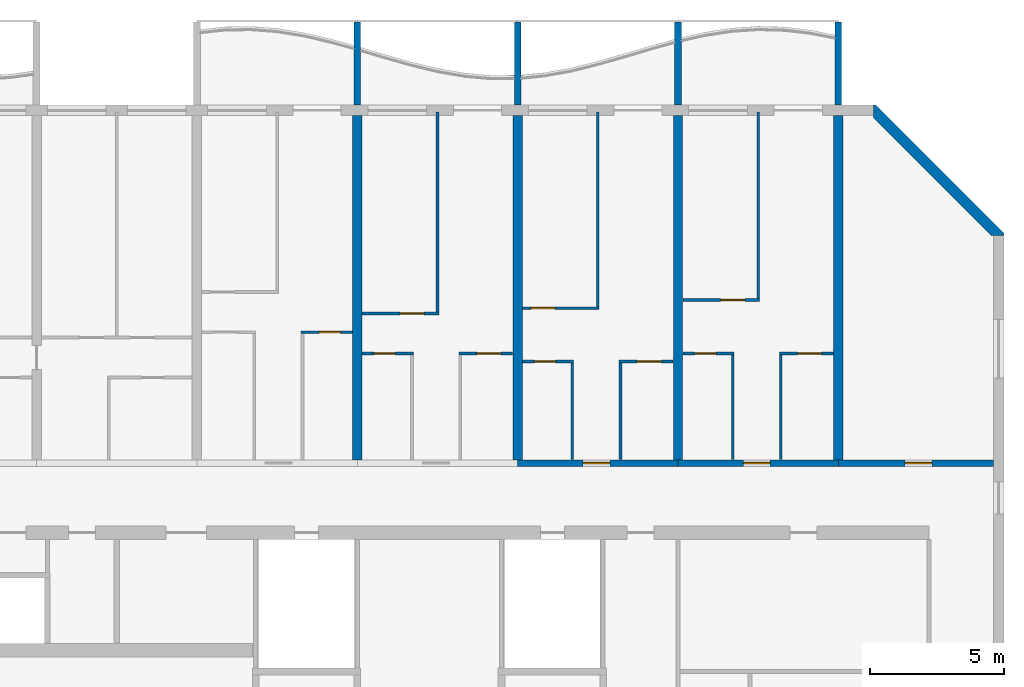
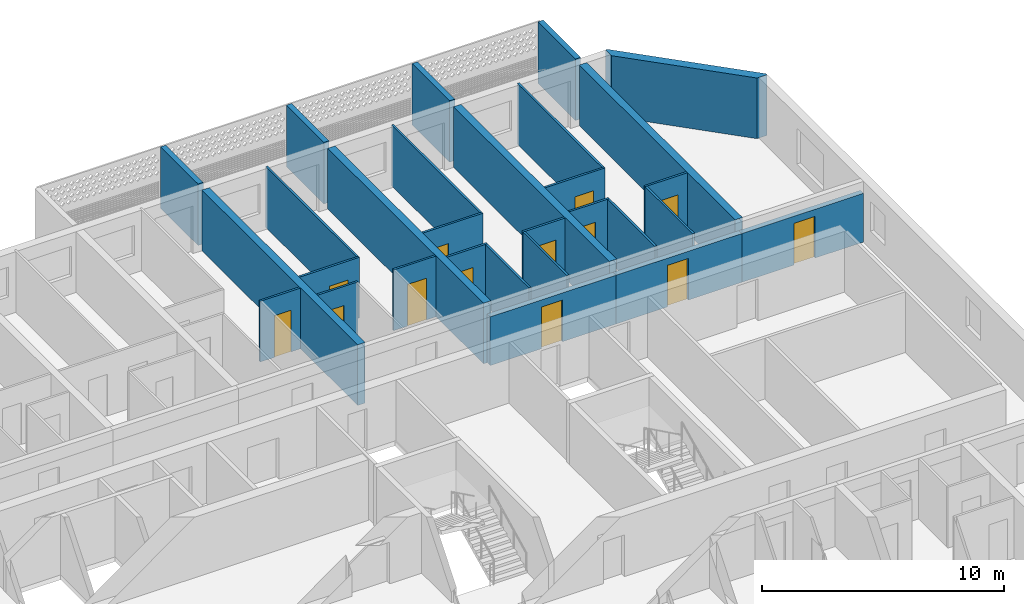
# One storey, part 15 of 30: 29 walls, 13 doors, 13 openings.
"""IFC4 building model written with IfcOpenShell, lengths in metres."""

from ifc_helpers import new_model, si_unit, direction, frame, frame_2d, origin, place, context, subcontext, project, spatial, polyline, rectangle, outline, extrude, source, transform, mapped, material, layer, layer_set, type_object, element, fill, save


model = new_model("IFC4")

# Units and contexts
model_context = context("Model", 3, precision=1e-05, world=origin(), true_north=direction((0.0, 1.0)))
body_context = subcontext(model_context, "Body", "Model", "MODEL_VIEW")
ifc_project = project(units=[si_unit("LENGTHUNIT", "METRE"), si_unit("AREAUNIT", "SQUARE_METRE"), si_unit("VOLUMEUNIT", "CUBIC_METRE"), si_unit("PLANEANGLEUNIT", "RADIAN"), si_unit("MASSUNIT", "GRAM", prefix="KILO")], contexts=[model_context])

# Site, building, storey
site_placement = place(None, origin())
site = spatial("IfcSite", under=ifc_project, at=site_placement, CompositionType="ELEMENT")
building_placement = place(site_placement, origin())
building = spatial("IfcBuilding", under=site, at=building_placement, Name="Poui Terraces", CompositionType="ELEMENT")
storey_placement = place(building_placement, frame((0.0, 0.0, 99.300048828125)))
storey = spatial("IfcBuildingStorey", under=building, at=storey_placement, Name="L27", CompositionType="ELEMENT", Elevation=99.300048828125)

# Wall, opening, door
ifc_material_1 = material(Name="Concrete 65 MPa", Category="concrete")
ifc_layer_1 = layer(ifc_material_1, 0.25)
ifc_layer_set_1 = layer_set([ifc_layer_1], Name="Concrete 65 MPa")
wall_type_1 = type_object("IfcWallType", Name="CORRIDOR WALL 250 65MPa", PredefinedType="SHEAR", material=ifc_layer_set_1)
wall_1_placement = place(storey_placement, frame((78.0, 30.39990234375, 0.0), z_axis=(0.0, 0.0, 1.0), x_axis=(1.0, 0.0, 0.0)))
wall_1 = element("IfcWall", 1, at=wall_1_placement, inside=storey, type_object=wall_type_1, Name="CORRIDOR WALL LINE E BAY 13", PredefinedType="SHEAR", context=body_context, shape_type="SweptSolid", body=[
    extrude(rectangle(XDim=6.0, YDim=0.25, at=frame_2d((3.0, 0.0))), origin(), (0.0, 0.0, 1.0), 2.4599609375),
])
opening_1_placement = place(wall_1_placement, frame((2.449951171875, 0.0, 0.0)))
opening_1 = element("IfcOpeningElement", 2, at=opening_1_placement, cuts=wall_1, Name="Opening FD30S", PredefinedType="OPENING", context=body_context, shape_type="SweptSolid", body=[
    extrude(rectangle(XDim=1.0, YDim=2.10009765625, at=frame_2d((0.5, 1.050048828125))), frame((0.0, 0.135009765625, 0.0), z_axis=(0.0, -1.0, 0.0), x_axis=(1.0, 0.0, 0.0)), (0.0, 0.0, 1.0), 0.27001953125),
])
ifc_material_2 = material(Name="Steel fire door", Category="steel")
door_type_1 = type_object("IfcDoorType", Name="FLAT ENTRANCE DOOR 1000 X 2100", OperationType="NOTDEFINED", PredefinedType="DOOR", material=ifc_material_2)
door_1_placement = place(opening_1_placement, origin())
door_1 = element("IfcDoor", 3, at=door_1_placement, inside=storey, type_object=door_type_1, Name="FLAT ENTRANCE DOOR 076", OperationType="SINGLE_SWING_LEFT", OverallHeight=2.10009765625, OverallWidth=1.0, PredefinedType="DOOR", context=body_context, shape_type="SweptSolid", body=[
    extrude(rectangle(XDim=1.0, YDim=2.10009765625, at=frame_2d((0.5, 1.050048828125))), frame((0.0, 0.02490234375, 0.0), z_axis=(0.0, -1.0, 0.0), x_axis=(1.0, 0.0, 0.0)), (0.0, 0.0, 1.0), 0.050048828125),
])
fill(opening_1, door_1)

wall_2_placement = place(storey_placement, frame((84.0, 30.39990234375, 0.0), z_axis=(0.0, 0.0, 1.0), x_axis=(1.0, 0.0, 0.0)))
wall_2 = element("IfcWall", 4, at=wall_2_placement, inside=storey, type_object=wall_type_1, Name="CORRIDOR WALL LINE E BAY 14", PredefinedType="SHEAR", context=body_context, shape_type="SweptSolid", body=[
    extrude(rectangle(XDim=6.0, YDim=0.25, at=frame_2d((3.0, 0.0))), origin(), (0.0, 0.0, 1.0), 2.4599609375),
])
opening_2_placement = place(wall_2_placement, frame((2.449951171875, 0.0, 0.0)))
opening_2 = element("IfcOpeningElement", 5, at=opening_2_placement, cuts=wall_2, Name="Opening FD30S", PredefinedType="OPENING", context=body_context, shape_type="SweptSolid", body=[
    extrude(rectangle(XDim=1.0, YDim=2.10009765625, at=frame_2d((0.5, 1.050048828125))), frame((0.0, 0.135009765625, 0.0), z_axis=(0.0, -1.0, 0.0), x_axis=(1.0, 0.0, 0.0)), (0.0, 0.0, 1.0), 0.27001953125),
])
door_2_placement = place(opening_2_placement, origin())
door_2 = element("IfcDoor", 6, at=door_2_placement, inside=storey, type_object=door_type_1, Name="FLAT ENTRANCE DOOR 080", OperationType="SINGLE_SWING_LEFT", OverallHeight=2.10009765625, OverallWidth=1.0, PredefinedType="DOOR", context=body_context, shape_type="SweptSolid", body=[
    extrude(rectangle(XDim=1.0, YDim=2.10009765625, at=frame_2d((0.5, 1.050048828125))), frame((0.0, 0.02490234375, 0.0), z_axis=(0.0, -1.0, 0.0), x_axis=(1.0, 0.0, 0.0)), (0.0, 0.0, 1.0), 0.050048828125),
])
fill(opening_2, door_2)

wall_3_placement = place(storey_placement, frame((90.0, 30.39990234375, 0.0), z_axis=(0.0, 0.0, 1.0), x_axis=(1.0, 0.0, 0.0)))
wall_3 = element("IfcWall", 7, at=wall_3_placement, inside=storey, type_object=wall_type_1, Name="CORRIDOR WALL LINE E BAY 15", PredefinedType="SHEAR", context=body_context, shape_type="SweptSolid", body=[
    extrude(rectangle(XDim=5.800048828125, YDim=0.25, at=frame_2d((2.89990234375, 0.0))), origin(), (0.0, 0.0, 1.0), 2.4599609375),
])
opening_3_placement = place(wall_3_placement, frame((2.5, 0.0, 0.0)))
opening_3 = element("IfcOpeningElement", 8, at=opening_3_placement, cuts=wall_3, Name="Opening D100", PredefinedType="OPENING", context=body_context, shape_type="SweptSolid", body=[
    extrude(rectangle(XDim=1.0, YDim=2.10009765625, at=frame_2d((0.5, 1.050048828125))), frame((0.0, 0.135009765625, 0.0), z_axis=(0.0, -1.0, 0.0), x_axis=(1.0, 0.0, 0.0)), (0.0, 0.0, 1.0), 0.27001953125),
])
ifc_material_3 = material(Name="Solid core timber door", Category="wood")
door_type_2 = type_object("IfcDoorType", Name="ACCESSIBLE INTERNAL DOOR 1000 X 2100", OperationType="NOTDEFINED", PredefinedType="DOOR", material=ifc_material_3)
door_3_placement = place(opening_3_placement, origin())
door_3 = element("IfcDoor", 9, at=door_3_placement, inside=storey, type_object=door_type_2, Name="ACCESSIBLE INTERNAL DOOR 082", OperationType="SINGLE_SWING_LEFT", OverallHeight=2.10009765625, OverallWidth=1.0, PredefinedType="DOOR", context=body_context, shape_type="SweptSolid", body=[
    extrude(rectangle(XDim=1.0, YDim=2.10009765625, at=frame_2d((0.5, 1.050048828125))), frame((0.0, 0.02490234375, 0.0), z_axis=(0.0, -1.0, 0.0), x_axis=(1.0, 0.0, 0.0)), (0.0, 0.0, 1.0), 0.050048828125),
])
fill(opening_3, door_3)

# Walls
ifc_layer_2 = layer(ifc_material_1, 0.35009765625)
ifc_layer_set_2 = layer_set([ifc_layer_2], Name="Concrete 65 MPa")
wall_type_2 = type_object("IfcWallType", Name="CROSS WALL 350 65MPa", PredefinedType="SHEAR", material=ifc_layer_set_2)
for number, where, z_axis, x_axis, name in (
    (10, (72.0, 30.52490234375, 0.0), (0.0, 0.0, 1.0), (0.0, 1.0, 0.0), "CROSS WALL LINE 13 NORTH"),
    (11, (78.0, 30.52490234375, 0.0), (0.0, 0.0, 1.0), (0.0, 1.0, 0.0), "CROSS WALL LINE 14 NORTH"),
    (12, (84.0, 30.52490234375, 0.0), (0.0, 0.0, 1.0), (0.0, 1.0, 0.0), "CROSS WALL LINE 15 NORTH"),
    (13, (90.0, 30.52490234375, 0.0), (0.0, 0.0, 1.0), (0.0, 1.0, 0.0), "CROSS WALL LINE 16 NORTH"),
):
    element("IfcWall", number, at=place(storey_placement, frame(where, z_axis=z_axis, x_axis=x_axis)), inside=storey, type_object=wall_type_2, Name=name, PredefinedType="SHEAR", context=body_context, shape_type="SweptSolid", body=[
        extrude(rectangle(XDim=12.875, YDim=0.35009765625, at=frame_2d((6.4375, 0.0))), origin(), (0.0, 0.0, 1.0), 3.06005859375),
    ])

# Wall, opening, door
ifc_material_4 = material(Name="Plasterboard partition")
ifc_layer_3 = layer(ifc_material_4, 0.10009765625)
ifc_layer_set_3 = layer_set([ifc_layer_3], Name="Plasterboard partition")
wall_type_3 = type_object("IfcWallType", Name="FLAT PARTITION 100", PredefinedType="PARTITIONING", material=ifc_layer_set_3)
wall_4_placement = place(storey_placement, frame((78.18505859375, 34.199951171875, 0.0), z_axis=(0.0, 0.0, 1.0), x_axis=(1.0, 0.0, 0.0)))
wall_4 = element("IfcWall", 14, at=wall_4_placement, inside=storey, type_object=wall_type_3, Name="FLAT PARTITION 100", PredefinedType="PARTITIONING", context=body_context, shape_type="SweptSolid", body=[
    extrude(rectangle(XDim=1.9150390625, YDim=0.10009765625, at=frame_2d((0.95751953125, 0.0))), origin(), (0.0, 0.0, 1.0), 3.06005859375),
])
opening_4_placement = place(wall_4_placement, frame((0.43994140625, 0.0, 0.0)))
opening_4 = element("IfcOpeningElement", 15, at=opening_4_placement, cuts=wall_4, Name="Opening D80", PredefinedType="OPENING", context=body_context, shape_type="SweptSolid", body=[
    extrude(rectangle(XDim=0.800048828125, YDim=2.10009765625, at=frame_2d((0.39990234375, 1.050048828125))), frame((0.0, 0.06005859375, 0.0), z_axis=(0.0, -1.0, 0.0), x_axis=(1.0, 0.0, 0.0)), (0.0, 0.0, 1.0), 0.1201171875),
])
door_type_3 = type_object("IfcDoorType", Name="BATHROOM, LAUNDRY AND STORE DOOR 800 X 2100", OperationType="NOTDEFINED", PredefinedType="DOOR", material=ifc_material_3)
door_4_placement = place(opening_4_placement, frame((0.800048828125, 0.0, 0.0), z_axis=(0.0, 0.0, 1.0), x_axis=(-1.0, 0.0, 0.0)))
door_4 = element("IfcDoor", 16, at=door_4_placement, inside=storey, type_object=door_type_3, Name="BATHROOM, LAUNDRY AND STORE DOOR 075", OperationType="SINGLE_SWING_RIGHT", OverallHeight=2.10009765625, OverallWidth=0.800048828125, PredefinedType="DOOR", context=body_context, shape_type="SweptSolid", body=[
    extrude(rectangle(XDim=0.800048828125, YDim=2.10009765625, at=frame_2d((0.39990234375, 1.050048828125))), frame((0.0, 0.02490234375, 0.0), z_axis=(0.0, -1.0, 0.0), x_axis=(1.0, 0.0, 0.0)), (0.0, 0.0, 1.0), 0.050048828125),
])
fill(opening_4, door_4)

wall_5_placement = place(storey_placement, frame((81.800048828125, 34.199951171875, 0.0), z_axis=(0.0, 0.0, 1.0), x_axis=(1.0, 0.0, 0.0)))
wall_5 = element("IfcWall", 17, at=wall_5_placement, inside=storey, type_object=wall_type_3, Name="FLAT PARTITION 100", PredefinedType="PARTITIONING", context=body_context, shape_type="SweptSolid", body=[
    extrude(rectangle(XDim=2.014892578125, YDim=0.10009765625, at=frame_2d((1.00732421875, 0.0))), origin(), (0.0, 0.0, 1.0), 3.06005859375),
])
opening_5_placement = place(wall_5_placement, frame((0.675048828125, 0.0, 0.0)))
opening_5 = element("IfcOpeningElement", 18, at=opening_5_placement, cuts=wall_5, Name="Opening D90", PredefinedType="OPENING", context=body_context, shape_type="SweptSolid", body=[
    extrude(rectangle(XDim=0.89990234375, YDim=2.10009765625, at=frame_2d((0.449951171875, 1.050048828125))), frame((0.0, 0.06005859375, 0.0), z_axis=(0.0, -1.0, 0.0), x_axis=(1.0, 0.0, 0.0)), (0.0, 0.0, 1.0), 0.1201171875),
])
door_type_4 = type_object("IfcDoorType", Name="INTERNAL DOOR 900 X 2100", OperationType="NOTDEFINED", PredefinedType="DOOR", material=ifc_material_3)
door_5_placement = place(opening_5_placement, frame((0.89990234375, 0.0, 0.0), z_axis=(0.0, 0.0, 1.0), x_axis=(-1.0, 0.0, 0.0)))
door_5 = element("IfcDoor", 19, at=door_5_placement, inside=storey, type_object=door_type_4, Name="INTERNAL DOOR 077", OperationType="SINGLE_SWING_LEFT", OverallHeight=2.10009765625, OverallWidth=0.89990234375, PredefinedType="DOOR", context=body_context, shape_type="SweptSolid", body=[
    extrude(rectangle(XDim=0.89990234375, YDim=2.10009765625, at=frame_2d((0.449951171875, 1.050048828125))), frame((0.0, 0.02490234375, 0.0), z_axis=(0.0, -1.0, 0.0), x_axis=(1.0, 0.0, 0.0)), (0.0, 0.0, 1.0), 0.050048828125),
])
fill(opening_5, door_5)

wall_6_placement = place(storey_placement, frame((72.18505859375, 34.5, 0.0), z_axis=(0.0, 0.0, 1.0), x_axis=(1.0, 0.0, 0.0)))
wall_6 = element("IfcWall", 20, at=wall_6_placement, inside=storey, type_object=wall_type_3, Name="FLAT PARTITION 100", PredefinedType="PARTITIONING", context=body_context, shape_type="SweptSolid", body=[
    extrude(rectangle(XDim=1.9150390625, YDim=0.10009765625, at=frame_2d((0.95751953125, 0.0))), origin(), (0.0, 0.0, 1.0), 3.06005859375),
])
opening_6_placement = place(wall_6_placement, frame((0.43994140625, 0.0, 0.0)))
opening_6 = element("IfcOpeningElement", 21, at=opening_6_placement, cuts=wall_6, Name="Opening D80", PredefinedType="OPENING", context=body_context, shape_type="SweptSolid", body=[
    extrude(rectangle(XDim=0.800048828125, YDim=2.10009765625, at=frame_2d((0.39990234375, 1.050048828125))), frame((0.0, 0.06005859375, 0.0), z_axis=(0.0, -1.0, 0.0), x_axis=(1.0, 0.0, 0.0)), (0.0, 0.0, 1.0), 0.1201171875),
])
door_6_placement = place(opening_6_placement, frame((0.800048828125, 0.0, 0.0), z_axis=(0.0, 0.0, 1.0), x_axis=(-1.0, 0.0, 0.0)))
door_6 = element("IfcDoor", 22, at=door_6_placement, inside=storey, type_object=door_type_3, Name="BATHROOM, LAUNDRY AND STORE DOOR 070", OperationType="SINGLE_SWING_LEFT", OverallHeight=2.10009765625, OverallWidth=0.800048828125, PredefinedType="DOOR", context=body_context, shape_type="SweptSolid", body=[
    extrude(rectangle(XDim=0.800048828125, YDim=2.10009765625, at=frame_2d((0.39990234375, 1.050048828125))), frame((0.0, 0.02490234375, 0.0), z_axis=(0.0, -1.0, 0.0), x_axis=(1.0, 0.0, 0.0)), (0.0, 0.0, 1.0), 0.050048828125),
])
fill(opening_6, door_6)

wall_7_placement = place(storey_placement, frame((75.800048828125, 34.5, 0.0), z_axis=(0.0, 0.0, 1.0), x_axis=(1.0, 0.0, 0.0)))
wall_7 = element("IfcWall", 23, at=wall_7_placement, inside=storey, type_object=wall_type_3, Name="FLAT PARTITION 100", PredefinedType="PARTITIONING", context=body_context, shape_type="SweptSolid", body=[
    extrude(rectangle(XDim=2.014892578125, YDim=0.10009765625, at=frame_2d((1.00732421875, 0.0))), origin(), (0.0, 0.0, 1.0), 3.06005859375),
])
opening_7_placement = place(wall_7_placement, frame((0.675048828125, 0.0, 0.0)))
opening_7 = element("IfcOpeningElement", 24, at=opening_7_placement, cuts=wall_7, Name="Opening D90", PredefinedType="OPENING", context=body_context, shape_type="SweptSolid", body=[
    extrude(rectangle(XDim=0.89990234375, YDim=2.10009765625, at=frame_2d((0.449951171875, 1.050048828125))), frame((0.0, 0.06005859375, 0.0), z_axis=(0.0, -1.0, 0.0), x_axis=(1.0, 0.0, 0.0)), (0.0, 0.0, 1.0), 0.1201171875),
])
door_7_placement = place(opening_7_placement, frame((0.89990234375, 0.0, 0.0), z_axis=(0.0, 0.0, 1.0), x_axis=(-1.0, 0.0, 0.0)))
door_7 = element("IfcDoor", 25, at=door_7_placement, inside=storey, type_object=door_type_4, Name="INTERNAL DOOR 073", OperationType="SINGLE_SWING_RIGHT", OverallHeight=2.10009765625, OverallWidth=0.89990234375, PredefinedType="DOOR", context=body_context, shape_type="SweptSolid", body=[
    extrude(rectangle(XDim=0.89990234375, YDim=2.10009765625, at=frame_2d((0.449951171875, 1.050048828125))), frame((0.0, 0.02490234375, 0.0), z_axis=(0.0, -1.0, 0.0), x_axis=(1.0, 0.0, 0.0)), (0.0, 0.0, 1.0), 0.050048828125),
])
fill(opening_7, door_7)

wall_8_placement = place(storey_placement, frame((84.18505859375, 34.5, 0.0), z_axis=(0.0, 0.0, 1.0), x_axis=(1.0, 0.0, 0.0)))
wall_8 = element("IfcWall", 26, at=wall_8_placement, inside=storey, type_object=wall_type_3, Name="FLAT PARTITION 100", PredefinedType="PARTITIONING", context=body_context, shape_type="SweptSolid", body=[
    extrude(rectangle(XDim=1.9150390625, YDim=0.10009765625, at=frame_2d((0.95751953125, 0.0))), origin(), (0.0, 0.0, 1.0), 3.06005859375),
])
opening_8_placement = place(wall_8_placement, frame((0.43994140625, 0.0, 0.0)))
opening_8 = element("IfcOpeningElement", 27, at=opening_8_placement, cuts=wall_8, Name="Opening D80", PredefinedType="OPENING", context=body_context, shape_type="SweptSolid", body=[
    extrude(rectangle(XDim=0.800048828125, YDim=2.10009765625, at=frame_2d((0.39990234375, 1.050048828125))), frame((0.0, 0.06005859375, 0.0), z_axis=(0.0, -1.0, 0.0), x_axis=(1.0, 0.0, 0.0)), (0.0, 0.0, 1.0), 0.1201171875),
])
door_8_placement = place(opening_8_placement, frame((0.800048828125, 0.0, 0.0), z_axis=(0.0, 0.0, 1.0), x_axis=(-1.0, 0.0, 0.0)))
door_8 = element("IfcDoor", 28, at=door_8_placement, inside=storey, type_object=door_type_3, Name="BATHROOM, LAUNDRY AND STORE DOOR 078", OperationType="SINGLE_SWING_LEFT", OverallHeight=2.10009765625, OverallWidth=0.800048828125, PredefinedType="DOOR", context=body_context, shape_type="SweptSolid", body=[
    extrude(rectangle(XDim=0.800048828125, YDim=2.10009765625, at=frame_2d((0.39990234375, 1.050048828125))), frame((0.0, 0.02490234375, 0.0), z_axis=(0.0, -1.0, 0.0), x_axis=(1.0, 0.0, 0.0)), (0.0, 0.0, 1.0), 0.050048828125),
])
fill(opening_8, door_8)

wall_9_placement = place(storey_placement, frame((87.800048828125, 34.5, 0.0), z_axis=(0.0, 0.0, 1.0), x_axis=(1.0, 0.0, 0.0)))
wall_9 = element("IfcWall", 29, at=wall_9_placement, inside=storey, type_object=wall_type_3, Name="FLAT PARTITION 100", PredefinedType="PARTITIONING", context=body_context, shape_type="SweptSolid", body=[
    extrude(rectangle(XDim=2.014892578125, YDim=0.10009765625, at=frame_2d((1.00732421875, 0.0))), origin(), (0.0, 0.0, 1.0), 3.06005859375),
])
opening_9_placement = place(wall_9_placement, frame((0.675048828125, 0.0, 0.0)))
opening_9 = element("IfcOpeningElement", 30, at=opening_9_placement, cuts=wall_9, Name="Opening D90", PredefinedType="OPENING", context=body_context, shape_type="SweptSolid", body=[
    extrude(rectangle(XDim=0.89990234375, YDim=2.10009765625, at=frame_2d((0.449951171875, 1.050048828125))), frame((0.0, 0.06005859375, 0.0), z_axis=(0.0, -1.0, 0.0), x_axis=(1.0, 0.0, 0.0)), (0.0, 0.0, 1.0), 0.1201171875),
])
door_9_placement = place(opening_9_placement, frame((0.89990234375, 0.0, 0.0), z_axis=(0.0, 0.0, 1.0), x_axis=(-1.0, 0.0, 0.0)))
door_9 = element("IfcDoor", 31, at=door_9_placement, inside=storey, type_object=door_type_4, Name="INTERNAL DOOR 081", OperationType="SINGLE_SWING_RIGHT", OverallHeight=2.10009765625, OverallWidth=0.89990234375, PredefinedType="DOOR", context=body_context, shape_type="SweptSolid", body=[
    extrude(rectangle(XDim=0.89990234375, YDim=2.10009765625, at=frame_2d((0.449951171875, 1.050048828125))), frame((0.0, 0.02490234375, 0.0), z_axis=(0.0, -1.0, 0.0), x_axis=(1.0, 0.0, 0.0)), (0.0, 0.0, 1.0), 0.050048828125),
])
fill(opening_9, door_9)

wall_10_placement = place(storey_placement, frame((69.89990234375, 35.300048828125, 0.0), z_axis=(0.0, 0.0, 1.0), x_axis=(1.0, 0.0, 0.0)))
wall_10 = element("IfcWall", 32, at=wall_10_placement, inside=storey, type_object=wall_type_3, Name="FLAT PARTITION 100", PredefinedType="PARTITIONING", context=body_context, shape_type="SweptSolid", body=[
    extrude(rectangle(XDim=1.9150390625, YDim=0.10009765625, at=frame_2d((0.95751953125, 0.0))), origin(), (0.0, 0.0, 1.0), 3.06005859375),
])
opening_10_placement = place(wall_10_placement, frame((0.675048828125, 0.0, 0.0)))
opening_10 = element("IfcOpeningElement", 33, at=opening_10_placement, cuts=wall_10, Name="Opening D80", PredefinedType="OPENING", context=body_context, shape_type="SweptSolid", body=[
    extrude(rectangle(XDim=0.800048828125, YDim=2.10009765625, at=frame_2d((0.39990234375, 1.050048828125))), frame((0.0, 0.06005859375, 0.0), z_axis=(0.0, -1.0, 0.0), x_axis=(1.0, 0.0, 0.0)), (0.0, 0.0, 1.0), 0.1201171875),
])
door_10_placement = place(opening_10_placement, frame((0.800048828125, 0.0, 0.0), z_axis=(0.0, 0.0, 1.0), x_axis=(-1.0, 0.0, 0.0)))
door_10 = element("IfcDoor", 34, at=door_10_placement, inside=storey, type_object=door_type_3, Name="BATHROOM, LAUNDRY AND STORE DOOR 069", OperationType="SINGLE_SWING_LEFT", OverallHeight=2.10009765625, OverallWidth=0.800048828125, PredefinedType="DOOR", context=body_context, shape_type="SweptSolid", body=[
    extrude(rectangle(XDim=0.800048828125, YDim=2.10009765625, at=frame_2d((0.39990234375, 1.050048828125))), frame((0.0, 0.02490234375, 0.0), z_axis=(0.0, -1.0, 0.0), x_axis=(1.0, 0.0, 0.0)), (0.0, 0.0, 1.0), 0.050048828125),
])
fill(opening_10, door_10)

wall_11_placement = place(storey_placement, frame((72.18505859375, 36.0, 0.0), z_axis=(0.0, 0.0, 1.0), x_axis=(1.0, 0.0, 0.0)))
wall_11 = element("IfcWall", 35, at=wall_11_placement, inside=storey, type_object=wall_type_3, Name="FLAT PARTITION 100", PredefinedType="PARTITIONING", context=body_context, shape_type="SweptSolid", body=[
    extrude(rectangle(XDim=2.864990234375, YDim=0.10009765625, at=frame_2d((1.4326171875, 0.0))), origin(), (0.0, 0.0, 1.0), 3.06005859375),
])
opening_11_placement = place(wall_11_placement, frame((1.4150390625, 0.0, 0.0)))
opening_11 = element("IfcOpeningElement", 36, at=opening_11_placement, cuts=wall_11, Name="Opening D90", PredefinedType="OPENING", context=body_context, shape_type="SweptSolid", body=[
    extrude(rectangle(XDim=0.89990234375, YDim=2.10009765625, at=frame_2d((0.449951171875, 1.050048828125))), frame((0.0, 0.06005859375, 0.0), z_axis=(0.0, -1.0, 0.0), x_axis=(1.0, 0.0, 0.0)), (0.0, 0.0, 1.0), 0.1201171875),
])
door_11_placement = place(opening_11_placement, frame((0.89990234375, 0.0, 0.0), z_axis=(0.0, 0.0, 1.0), x_axis=(-1.0, 0.0, 0.0)))
door_11 = element("IfcDoor", 37, at=door_11_placement, inside=storey, type_object=door_type_4, Name="INTERNAL DOOR 071", OperationType="SINGLE_SWING_RIGHT", OverallHeight=2.10009765625, OverallWidth=0.89990234375, PredefinedType="DOOR", context=body_context, shape_type="SweptSolid", body=[
    extrude(rectangle(XDim=0.89990234375, YDim=2.10009765625, at=frame_2d((0.449951171875, 1.050048828125))), frame((0.0, 0.02490234375, 0.0), z_axis=(0.0, -1.0, 0.0), x_axis=(1.0, 0.0, 0.0)), (0.0, 0.0, 1.0), 0.050048828125),
])
fill(opening_11, door_11)

wall_12_placement = place(storey_placement, frame((78.18505859375, 36.199951171875, 0.0), z_axis=(0.0, 0.0, 1.0), x_axis=(1.0, 0.0, 0.0)))
wall_12 = element("IfcWall", 38, at=wall_12_placement, inside=storey, type_object=wall_type_3, Name="FLAT PARTITION 100", PredefinedType="PARTITIONING", context=body_context, shape_type="SweptSolid", body=[
    extrude(rectangle(XDim=2.864990234375, YDim=0.10009765625, at=frame_2d((1.4326171875, 0.0))), origin(), (0.0, 0.0, 1.0), 3.06005859375),
])
opening_12_placement = place(wall_12_placement, frame((0.31494140625, 0.0, 0.0)))
opening_12 = element("IfcOpeningElement", 39, at=opening_12_placement, cuts=wall_12, Name="Opening D90", PredefinedType="OPENING", context=body_context, shape_type="SweptSolid", body=[
    extrude(rectangle(XDim=0.89990234375, YDim=2.10009765625, at=frame_2d((0.449951171875, 1.050048828125))), frame((0.0, 0.06005859375, 0.0), z_axis=(0.0, -1.0, 0.0), x_axis=(1.0, 0.0, 0.0)), (0.0, 0.0, 1.0), 0.1201171875),
])
door_12_placement = place(opening_12_placement, frame((0.89990234375, 0.0, 0.0), z_axis=(0.0, 0.0, 1.0), x_axis=(-1.0, 0.0, 0.0)))
door_12 = element("IfcDoor", 40, at=door_12_placement, inside=storey, type_object=door_type_4, Name="INTERNAL DOOR 074", OperationType="SINGLE_SWING_LEFT", OverallHeight=2.10009765625, OverallWidth=0.89990234375, PredefinedType="DOOR", context=body_context, shape_type="SweptSolid", body=[
    extrude(rectangle(XDim=0.89990234375, YDim=2.10009765625, at=frame_2d((0.449951171875, 1.050048828125))), frame((0.0, 0.02490234375, 0.0), z_axis=(0.0, -1.0, 0.0), x_axis=(1.0, 0.0, 0.0)), (0.0, 0.0, 1.0), 0.050048828125),
])
fill(opening_12, door_12)

wall_13_placement = place(storey_placement, frame((84.18505859375, 36.5, 0.0), z_axis=(0.0, 0.0, 1.0), x_axis=(1.0, 0.0, 0.0)))
wall_13 = element("IfcWall", 41, at=wall_13_placement, inside=storey, type_object=wall_type_3, Name="FLAT PARTITION 100", PredefinedType="PARTITIONING", context=body_context, shape_type="SweptSolid", body=[
    extrude(rectangle(XDim=2.864990234375, YDim=0.10009765625, at=frame_2d((1.4326171875, 0.0))), origin(), (0.0, 0.0, 1.0), 3.06005859375),
])
opening_13_placement = place(wall_13_placement, frame((1.4150390625, 0.0, 0.0)))
opening_13 = element("IfcOpeningElement", 42, at=opening_13_placement, cuts=wall_13, Name="Opening D90", PredefinedType="OPENING", context=body_context, shape_type="SweptSolid", body=[
    extrude(rectangle(XDim=0.89990234375, YDim=2.10009765625, at=frame_2d((0.449951171875, 1.050048828125))), frame((0.0, 0.06005859375, 0.0), z_axis=(0.0, -1.0, 0.0), x_axis=(1.0, 0.0, 0.0)), (0.0, 0.0, 1.0), 0.1201171875),
])
door_13_placement = place(opening_13_placement, frame((0.89990234375, 0.0, 0.0), z_axis=(0.0, 0.0, 1.0), x_axis=(-1.0, 0.0, 0.0)))
door_13 = element("IfcDoor", 43, at=door_13_placement, inside=storey, type_object=door_type_4, Name="INTERNAL DOOR 079", OperationType="SINGLE_SWING_RIGHT", OverallHeight=2.10009765625, OverallWidth=0.89990234375, PredefinedType="DOOR", context=body_context, shape_type="SweptSolid", body=[
    extrude(rectangle(XDim=0.89990234375, YDim=2.10009765625, at=frame_2d((0.449951171875, 1.050048828125))), frame((0.0, 0.02490234375, 0.0), z_axis=(0.0, -1.0, 0.0), x_axis=(1.0, 0.0, 0.0)), (0.0, 0.0, 1.0), 0.050048828125),
])
fill(opening_13, door_13)

# Walls
wall_14_placement = place(storey_placement, frame((75.0, 36.050048828125, 0.0), z_axis=(0.0, 0.0, 1.0), x_axis=(0.0, 1.0, 0.0)))
element("IfcWall", 44, at=wall_14_placement, inside=storey, type_object=wall_type_3, Name="FLAT PARTITION 100", PredefinedType="PARTITIONING", context=body_context, shape_type="SweptSolid", body=[
    extrude(rectangle(XDim=7.489990234375, YDim=0.10009765625, at=frame_2d((3.7451171875, 0.0))), origin(), (0.0, 0.0, 1.0), 3.06005859375),
])
wall_15_placement = place(storey_placement, frame((80.050048828125, 30.534912109375, 0.0), z_axis=(0.0, 0.0, 1.0), x_axis=(0.0, 1.0, 0.0)))
element("IfcWall", 45, at=wall_15_placement, inside=storey, type_object=wall_type_3, Name="FLAT PARTITION 100", PredefinedType="PARTITIONING", context=body_context, shape_type="SweptSolid", body=[
    extrude(rectangle(XDim=3.614990234375, YDim=0.10009765625, at=frame_2d((1.8076171875, 0.0))), origin(), (0.0, 0.0, 1.0), 3.06005859375),
])
wall_16_placement = place(storey_placement, frame((81.0, 36.25, 0.0), z_axis=(0.0, 0.0, 1.0), x_axis=(0.0, 1.0, 0.0)))
element("IfcWall", 46, at=wall_16_placement, inside=storey, type_object=wall_type_3, Name="FLAT PARTITION 100", PredefinedType="PARTITIONING", context=body_context, shape_type="SweptSolid", body=[
    extrude(rectangle(XDim=7.2900390625, YDim=0.10009765625, at=frame_2d((3.64501953125, 0.0))), origin(), (0.0, 0.0, 1.0), 3.06005859375),
])
wall_17_placement = place(storey_placement, frame((81.85009765625, 30.534912109375, 0.0), z_axis=(0.0, 0.0, 1.0), x_axis=(0.0, 1.0, 0.0)))
element("IfcWall", 47, at=wall_17_placement, inside=storey, type_object=wall_type_3, Name="FLAT PARTITION 100", PredefinedType="PARTITIONING", context=body_context, shape_type="SweptSolid", body=[
    extrude(rectangle(XDim=3.614990234375, YDim=0.10009765625, at=frame_2d((1.8076171875, 0.0))), origin(), (0.0, 0.0, 1.0), 3.06005859375),
])
wall_18_placement = place(storey_placement, frame((86.050048828125, 30.534912109375, 0.0), z_axis=(0.0, 0.0, 1.0), x_axis=(0.0, 1.0, 0.0)))
element("IfcWall", 48, at=wall_18_placement, inside=storey, type_object=wall_type_3, Name="FLAT PARTITION 100", PredefinedType="PARTITIONING", context=body_context, shape_type="SweptSolid", body=[
    extrude(rectangle(XDim=3.9150390625, YDim=0.10009765625, at=frame_2d((1.95751953125, 0.0))), origin(), (0.0, 0.0, 1.0), 3.06005859375),
])
wall_19_placement = place(storey_placement, frame((87.0, 36.550048828125, 0.0), z_axis=(0.0, 0.0, 1.0), x_axis=(0.0, 1.0, 0.0)))
element("IfcWall", 49, at=wall_19_placement, inside=storey, type_object=wall_type_3, Name="FLAT PARTITION 100", PredefinedType="PARTITIONING", context=body_context, shape_type="SweptSolid", body=[
    extrude(rectangle(XDim=6.989990234375, YDim=0.10009765625, at=frame_2d((3.4951171875, 0.0))), origin(), (0.0, 0.0, 1.0), 3.06005859375),
])
wall_20_placement = place(storey_placement, frame((87.85009765625, 30.534912109375, 0.0), z_axis=(0.0, 0.0, 1.0), x_axis=(0.0, 1.0, 0.0)))
element("IfcWall", 50, at=wall_20_placement, inside=storey, type_object=wall_type_3, Name="FLAT PARTITION 100", PredefinedType="PARTITIONING", context=body_context, shape_type="SweptSolid", body=[
    extrude(rectangle(XDim=3.9150390625, YDim=0.10009765625, at=frame_2d((1.95751953125, 0.0))), origin(), (0.0, 0.0, 1.0), 3.06005859375),
])
ifc_material_5 = material(Name="Precast concrete 40 MPa", Category="concrete")
ifc_layer_4 = layer(ifc_material_5, 0.39990234375)
ifc_layer_set_4 = layer_set([ifc_layer_4], Name="Precast concrete 40 MPa")
wall_type_4 = type_object("IfcWallType", Name="TERRACOTTA CLAD CHAMFER WALL 400", PredefinedType="STANDARD", material=ifc_layer_set_4)
wall_21_placement = place(storey_placement, origin())
element("IfcWall", 51, at=wall_21_placement, inside=storey, type_object=wall_type_4, Name="CHAMFER WALL CH03", PredefinedType="STANDARD", context=body_context, shape_type="SweptSolid", body=[
    extrude(outline(polyline([(96.199951171875, 38.917236328125), (96.199951171875, 39.0), (91.39990234375, 43.800048828125), (91.317138671875, 43.800048828125), (91.317138671875, 43.317138671875), (95.71728515625, 38.917236328125), (96.199951171875, 38.917236328125)])), origin(), (0.0, 0.0, 1.0), 3.06005859375),
])
ifc_layer_5 = layer(ifc_material_5, 0.25)
ifc_layer_set_5 = layer_set([ifc_layer_5], Name="Precast concrete 40 MPa")
wall_type_5 = type_object("IfcWallType", Name="BALCONY FIN 250", PredefinedType="STANDARD", material=ifc_layer_set_5)
shared_shape = source(origin(), body_context, "Body", "SweptSolid", [
    extrude(outline(polyline([(0.0, 0.0), (0.25, 0.0), (0.25, 3.099853515625), (0.0, 3.099853515625), (0.0, 0.0)])), origin(), (0.0, 0.0, 1.0), 3.099853515625),
])
for number, where, name in (
    (52, (71.875, 43.800048828125, 0.0), "BALCONY FIN"),
    (53, (77.875, 43.800048828125, 0.0), "BALCONY FIN"),
    (54, (83.875, 43.800048828125, 0.0), "BALCONY FIN"),
    (55, (89.875, 43.800048828125, 0.0), "BALCONY FIN"),
):
    element("IfcWall", number, at=place(storey_placement, frame(where)), inside=storey, type_object=wall_type_5, Name=name, PredefinedType="STANDARD", context=body_context, shape_type="MappedRepresentation", body=[
        mapped(shared_shape, transform((0.0, 0.0, 0.0))),
    ])

save(model, "model.ifc")
